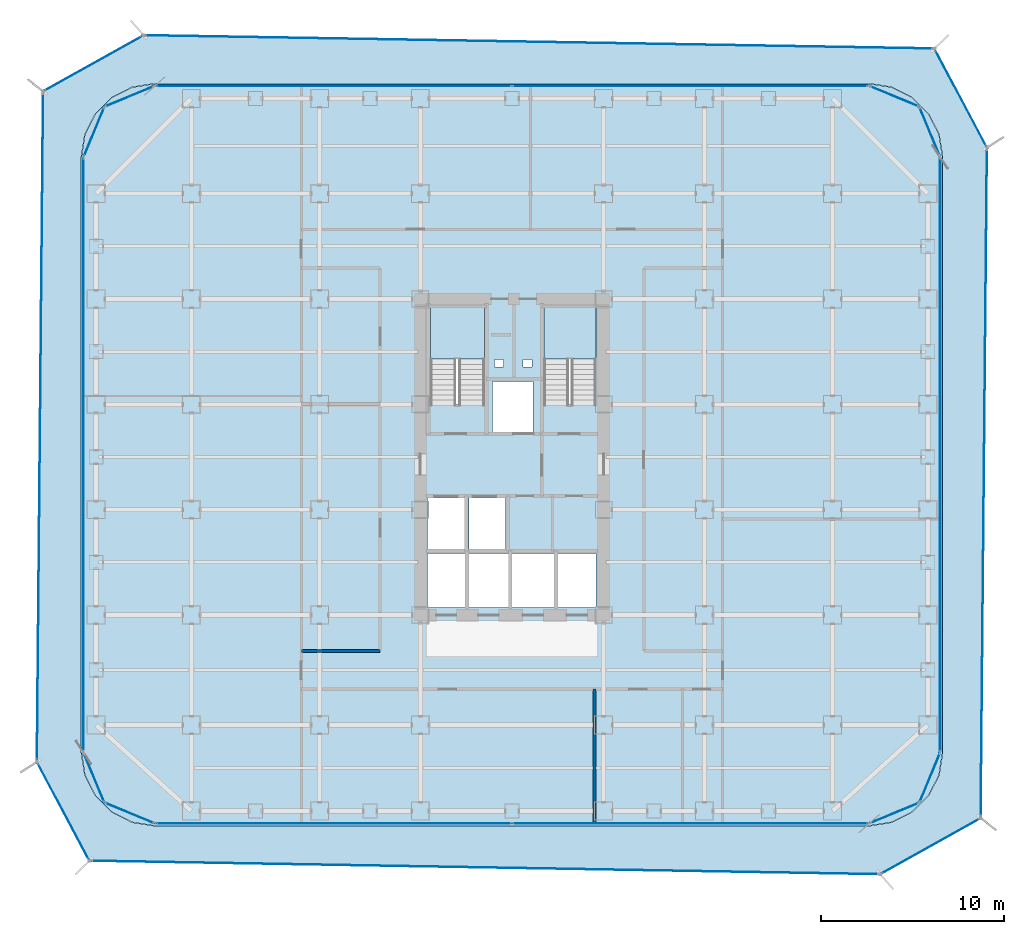
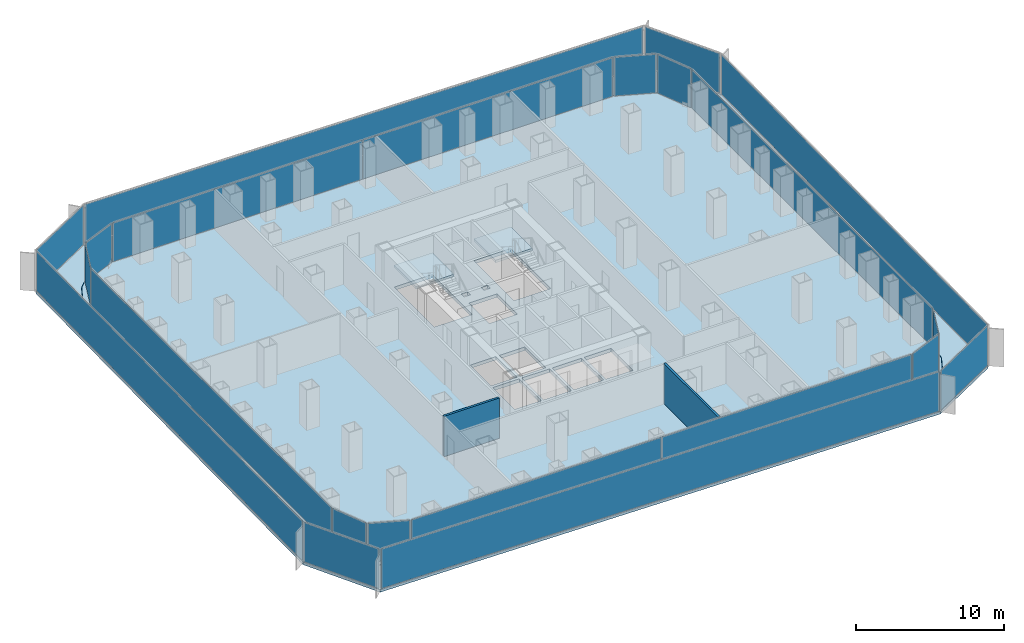
# One storey, part 16 of 21: 22 plates, 4 slabs, 2 walls, 22 elements without a shape of their own.
"""IFC4 building model written with IfcOpenShell, lengths in metres."""

from ifc_helpers import new_model, si_unit, direction, frame, frame_2d, origin, origin_2d, place, context, subcontext, project, spatial, polyline, rectangle, outline, extrude, source, transform, mapped, material, layer, layer_set, type_object, element, aggregate, save


model = new_model("IFC4")

# Units and contexts
model_context = context("Model", 3, precision=1e-05, world=origin(), true_north=direction((0.0, 1.0)))
body_context = subcontext(model_context, "Body", "Model", "MODEL_VIEW")
ifc_project = project(units=[si_unit("LENGTHUNIT", "METRE"), si_unit("AREAUNIT", "SQUARE_METRE"), si_unit("VOLUMEUNIT", "CUBIC_METRE"), si_unit("PLANEANGLEUNIT", "RADIAN"), si_unit("MASSUNIT", "GRAM", prefix="KILO")], contexts=[model_context])

# Site, building, storey
site_placement = place(None, origin())
site = spatial("IfcSite", under=ifc_project, at=site_placement, CompositionType="ELEMENT")
building_placement = place(site_placement, origin())
building = spatial("IfcBuilding", under=site, at=building_placement, Name="Kolveth Station Tower", CompositionType="ELEMENT")
storey_placement = place(building_placement, frame((0.0, 0.0, 58.5)))
storey = spatial("IfcBuildingStorey", under=building, at=storey_placement, Name="L15", CompositionType="ELEMENT", Elevation=58.5)

# Slab
ifc_material_1 = material(Name="Concrete C45/55", Category="concrete")
ifc_layer_1 = layer(ifc_material_1, 0.280029296875)
ifc_layer_set_1 = layer_set([ifc_layer_1], Name="Concrete C45/55")
slab_type_1 = type_object("IfcSlabType", Name="Slab_SF-280", PredefinedType="FLOOR", material=ifc_layer_set_1)
slab_1_placement = place(storey_placement, frame((0.0, 0.0, -0.280029296875)))
element("IfcSlab", 1, at=slab_1_placement, inside=storey, type_object=slab_type_1, Name="L15 Tower Structural Floor Slab", PredefinedType="FLOOR", context=body_context, shape_type="SweptSolid", body=[
    extrude(outline(polyline([(43.0, 0.0), (44.236083984375, 0.19580078125), (45.35107421875, 0.763916015625), (46.236083984375, 1.64892578125), (46.80419921875, 2.763916015625), (47.0, 4.0), (47.0, 36.5), (46.80419921875, 37.736083984375), (46.236083984375, 38.85107421875), (45.35107421875, 39.736083984375), (44.236083984375, 40.30419921875), (43.0, 40.5), (4.0, 40.5), (2.763916015625, 40.30419921875), (1.64892578125, 39.736083984375), (0.763916015625, 38.85107421875), (0.19580078125, 37.736083984375), (0.0, 36.5), (0.0, 4.0), (0.19580078125, 2.763916015625), (0.763916015625, 1.64892578125), (1.64892578125, 0.763916015625), (2.763916015625, 0.19580078125), (4.0, 0.0), (43.0, 0.0)]), holes=[polyline([(19.0400390625, 22.985107421875), (22.0, 22.985107421875), (22.0, 28.39990234375), (19.0400390625, 28.39990234375), (19.0400390625, 22.985107421875)]), polyline([(25.239990234375, 22.985107421875), (28.10009765625, 22.985107421875), (28.10009765625, 28.39990234375), (25.239990234375, 28.39990234375), (25.239990234375, 22.985107421875)]), polyline([(18.89990234375, 15.10009765625), (20.89990234375, 15.10009765625), (20.89990234375, 17.89990234375), (18.89990234375, 17.89990234375), (18.89990234375, 15.10009765625)]), polyline([(21.14990234375, 15.10009765625), (23.14990234375, 15.10009765625), (23.14990234375, 17.89990234375), (21.14990234375, 17.89990234375), (21.14990234375, 15.10009765625)]), polyline([(22.449951171875, 21.5), (24.64990234375, 21.5), (24.64990234375, 24.25), (22.449951171875, 24.25), (22.449951171875, 21.5)]), polyline([(18.89990234375, 11.89990234375), (20.949951171875, 11.89990234375), (20.949951171875, 14.85009765625), (18.89990234375, 14.85009765625), (18.89990234375, 11.89990234375)]), polyline([(21.14990234375, 11.89990234375), (23.300048828125, 11.89990234375), (23.300048828125, 14.85009765625), (21.14990234375, 14.85009765625), (21.14990234375, 11.89990234375)]), polyline([(23.5, 11.89990234375), (25.800048828125, 11.89990234375), (25.800048828125, 14.85009765625), (23.5, 14.85009765625), (23.5, 11.89990234375)]), polyline([(26.0, 11.89990234375), (28.10009765625, 11.89990234375), (28.10009765625, 14.85009765625), (26.0, 14.85009765625), (26.0, 11.89990234375)]), polyline([(22.550048828125, 25.050048828125), (23.050048828125, 25.050048828125), (23.050048828125, 25.449951171875), (22.550048828125, 25.449951171875), (22.550048828125, 25.050048828125)]), polyline([(24.10009765625, 25.050048828125), (24.60009765625, 25.050048828125), (24.60009765625, 25.449951171875), (24.10009765625, 25.449951171875), (24.10009765625, 25.050048828125)])]), origin(), (0.0, 0.0, 1.0), 0.280029296875),
])

# Stair, slab
ifc_material_2 = material(Name="Concrete C40/50", Category="concrete")
stair_type_1 = type_object("IfcStairType", Name="Stair_ST2", PredefinedType="HALF_TURN_STAIR", material=ifc_material_2)
stair_1_placement = place(storey_placement, origin())
stair_1 = element("IfcStair", 2, at=stair_1_placement, inside=storey, type_object=stair_type_1, Name="L15 Tower Exit Stair ST2", PredefinedType="HALF_TURN_STAIR")
ifc_layer_2 = layer(ifc_material_2, 0.18994140625)
ifc_layer_set_2 = layer_set([ifc_layer_2], Name="Concrete C40/50")
slab_type_2 = type_object("IfcSlabType", Name="Slab_SL-190", PredefinedType="LANDING", material=ifc_layer_set_2)
slab_2_placement = place(storey_placement, frame((0.0, 0.0, 1.60009765625)))
slab_2 = element("IfcSlab", 3, at=slab_2_placement, type_object=slab_type_2, Name="ST2 landing 1", PredefinedType="LANDING", context=body_context, shape_type="SweptSolid", body=[
    extrude(outline(polyline([(28.10009765625, 25.469970703125), (28.10009765625, 28.39990234375), (25.239990234375, 28.39990234375), (25.239990234375, 25.469970703125), (28.10009765625, 25.469970703125)])), origin(), (0.0, 0.0, 1.0), 0.199951171875),
])
aggregate(stair_1, [slab_2])

stair_type_2 = type_object("IfcStairType", Name="Stair_ST1", PredefinedType="HALF_TURN_STAIR", material=ifc_material_2)
stair_2_placement = place(storey_placement, origin())
stair_2 = element("IfcStair", 4, at=stair_2_placement, inside=storey, type_object=stair_type_2, Name="L15 Tower Exit Stair ST1", PredefinedType="HALF_TURN_STAIR")
ifc_layer_3 = layer(ifc_material_2, 0.205078125)
ifc_layer_set_3 = layer_set([ifc_layer_3], Name="Concrete C40/50")
slab_type_3 = type_object("IfcSlabType", Name="Slab_SL-205", PredefinedType="LANDING", material=ifc_layer_set_3)
slab_3_placement = place(storey_placement, frame((0.0, 0.0, 1.60009765625)))
slab_3 = element("IfcSlab", 5, at=slab_3_placement, type_object=slab_type_3, Name="ST1 landing 1", PredefinedType="LANDING", context=body_context, shape_type="SweptSolid", body=[
    extrude(outline(polyline([(22.0, 25.469970703125), (22.0, 28.39990234375), (19.0400390625, 28.39990234375), (19.0400390625, 25.469970703125), (22.0, 25.469970703125)])), origin(), (0.0, 0.0, 1.0), 0.199951171875),
])
aggregate(stair_2, [slab_3])

# Slab
ifc_layer_4 = layer(ifc_material_2, 0.2099609375)
ifc_layer_set_4 = layer_set([ifc_layer_4], Name="Concrete C40/50")
slab_type_4 = type_object("IfcSlabType", Name="Slab_ST-210", PredefinedType="FLOOR", material=ifc_layer_set_4)
slab_4_placement = place(storey_placement, frame((0.0, 0.0, -0.2099609375)))
element("IfcSlab", 6, at=slab_4_placement, inside=storey, type_object=slab_type_4, Name="L15 Double-Skin Cavity Structural Ledger Ring", PredefinedType="FLOOR", context=body_context, shape_type="SweptSolid", body=[
    extrude(outline(polyline([(0.441162109375, -1.9140625), (-2.42724609375, 3.48583984375), (-2.0888671875, 40.085693359375), (3.3994140625, 43.144287109375), (46.5625, 42.42041015625), (49.43115234375, 37.0146484375), (49.0888671875, 0.414306640625), (43.601318359375, -2.6513671875), (0.441162109375, -1.9140625)]), holes=[polyline([(43.002197265625, -0.014892578125), (44.23828125, 0.180908203125), (44.242919921875, 0.182373046875), (45.35791015625, 0.75048828125), (45.36181640625, 0.75341796875), (46.24658203125, 1.63818359375), (46.24951171875, 1.64208984375), (46.817626953125, 2.757080078125), (46.819091796875, 2.76171875), (47.014892578125, 3.997802734375), (47.014892578125, 4.0), (47.014892578125, 36.5), (47.014892578125, 36.502197265625), (46.819091796875, 37.73828125), (46.817626953125, 37.742919921875), (46.24951171875, 38.85791015625), (46.24658203125, 38.86181640625), (45.36181640625, 39.74658203125), (45.35791015625, 39.74951171875), (44.242919921875, 40.317626953125), (44.23828125, 40.319091796875), (43.002197265625, 40.514892578125), (43.0, 40.514892578125), (4.0, 40.514892578125), (3.997802734375, 40.514892578125), (2.76171875, 40.319091796875), (2.757080078125, 40.317626953125), (1.64208984375, 39.74951171875), (1.63818359375, 39.74658203125), (0.75341796875, 38.86181640625), (0.75048828125, 38.85791015625), (0.182373046875, 37.742919921875), (0.180908203125, 37.73828125), (-0.014892578125, 36.502197265625), (-0.014892578125, 36.5), (-0.014892578125, 4.0), (-0.014892578125, 3.997802734375), (0.180908203125, 2.76171875), (0.182373046875, 2.757080078125), (0.75048828125, 1.64208984375), (0.75341796875, 1.63818359375), (1.63818359375, 0.75341796875), (1.64208984375, 0.75048828125), (2.757080078125, 0.182373046875), (2.76171875, 0.180908203125), (3.997802734375, -0.014892578125), (4.0, -0.014892578125), (43.0, -0.014892578125), (43.002197265625, -0.014892578125)])]), origin(), (0.0, 0.0, 1.0), 0.2099609375),
])

# Curtain wall, plate
ifc_material_3 = material(Name="Aluminium 6063-T6 and low-E dark glass", Category="aluminium")
ifc_layer_5 = layer(ifc_material_3, 0.179931640625)
ifc_layer_set_5 = layer_set([ifc_layer_5], Name="Aluminium 6063-T6 and low-E dark glass")
curtain_wall_type_1 = type_object("IfcCurtainWallType", Name="CurtainWall_CW-Z1", PredefinedType="NOTDEFINED", material=ifc_layer_set_5)
curtain_wall_1_placement = place(storey_placement, origin())
curtain_wall_1 = element("IfcCurtainWall", 7, at=curtain_wall_1_placement, inside=storey, type_object=curtain_wall_type_1, Name="L15 Inner Thermal Curtain Wall 1", PredefinedType="NOTDEFINED")
ifc_material_4 = material(Name="Architectural low-E dark glass", Category="glass")
ifc_layer_6 = layer(ifc_material_4, 0.035888671875)
ifc_layer_set_6 = layer_set([ifc_layer_6], Name="Architectural low-E dark glass")
plate_type_1 = type_object("IfcPlateType", Name="Panel_GL1", PredefinedType="CURTAIN_PANEL", material=ifc_layer_set_6)
shared_shape_1 = source(origin(), body_context, "Body", "SweptSolid", [
    extrude(rectangle(XDim=2.83349609375, YDim=0.035888671875, at=origin_2d()), origin(), (0.0, 0.0, 1.0), 3.18408203125),
])
plate_1_placement = place(storey_placement, frame((44.371826171875, 0.688232421875, 0.06787109375), z_axis=(0.0, 0.0, 1.0), x_axis=(0.923883857728, 0.382672990201, 0.0)))
plate_1 = element("IfcPlate", 8, at=plate_1_placement, type_object=plate_type_1, Name="CW-Z1 panel 1.1", PredefinedType="CURTAIN_PANEL", context=body_context, shape_type="MappedRepresentation", body=[
    mapped(shared_shape_1, transform((0.0, 0.0, 0.0), x_axis=(1.0, 0.0, 0.0), y_axis=(0.0, 1.0, 0.0), z_axis=(0.0, 0.0, 1.0), scale=1.0)),
])
aggregate(curtain_wall_1, [plate_1])

curtain_wall_2_placement = place(storey_placement, origin())
curtain_wall_2 = element("IfcCurtainWall", 9, at=curtain_wall_2_placement, inside=storey, type_object=curtain_wall_type_1, Name="L15 Inner Thermal Curtain Wall 2", PredefinedType="NOTDEFINED")
plate_2_placement = place(storey_placement, frame((46.311767578125, 2.628173828125, 0.06787109375), z_axis=(0.0, 0.0, 1.0), x_axis=(0.382672990201, 0.923883857728, 0.0)))
plate_2 = element("IfcPlate", 10, at=plate_2_placement, type_object=plate_type_1, Name="CW-Z1 panel 1.1", PredefinedType="CURTAIN_PANEL", context=body_context, shape_type="MappedRepresentation", body=[
    mapped(shared_shape_1, transform((0.0, 0.0, 0.0), x_axis=(1.0, 0.0, 0.0), y_axis=(0.0, 1.0, 0.0), z_axis=(0.0, 0.0, 1.0), scale=1.0)),
])
aggregate(curtain_wall_2, [plate_2])

curtain_wall_3_placement = place(storey_placement, origin())
curtain_wall_3 = element("IfcCurtainWall", 11, at=curtain_wall_3_placement, inside=storey, type_object=curtain_wall_type_1, Name="L15 Inner Thermal Curtain Wall 4", PredefinedType="NOTDEFINED")
plate_3_placement = place(storey_placement, frame((46.311767578125, 37.871826171875, 0.06787109375), z_axis=(0.0, 0.0, 1.0), x_axis=(-0.382672990201, 0.923883857728, 0.0)))
plate_3 = element("IfcPlate", 12, at=plate_3_placement, type_object=plate_type_1, Name="CW-Z1 panel 1.1", PredefinedType="CURTAIN_PANEL", context=body_context, shape_type="MappedRepresentation", body=[
    mapped(shared_shape_1, transform((0.0, 0.0, 0.0), x_axis=(1.0, 0.0, 0.0), y_axis=(0.0, 1.0, 0.0), z_axis=(0.0, 0.0, 1.0), scale=1.0)),
])
aggregate(curtain_wall_3, [plate_3])

curtain_wall_4_placement = place(storey_placement, origin())
curtain_wall_4 = element("IfcCurtainWall", 13, at=curtain_wall_4_placement, inside=storey, type_object=curtain_wall_type_1, Name="L15 Inner Thermal Curtain Wall 5", PredefinedType="NOTDEFINED")
plate_4_placement = place(storey_placement, frame((44.371826171875, 39.811767578125, 0.06787109375), z_axis=(0.0, 0.0, 1.0), x_axis=(-0.923883857728, 0.382672990201, 0.0)))
plate_4 = element("IfcPlate", 14, at=plate_4_placement, type_object=plate_type_1, Name="CW-Z1 panel 1.1", PredefinedType="CURTAIN_PANEL", context=body_context, shape_type="MappedRepresentation", body=[
    mapped(shared_shape_1, transform((0.0, 0.0, 0.0), x_axis=(1.0, 0.0, 0.0), y_axis=(0.0, 1.0, 0.0), z_axis=(0.0, 0.0, 1.0), scale=1.0)),
])
aggregate(curtain_wall_4, [plate_4])

curtain_wall_5_placement = place(storey_placement, origin())
curtain_wall_5 = element("IfcCurtainWall", 15, at=curtain_wall_5_placement, inside=storey, type_object=curtain_wall_type_1, Name="L15 Inner Thermal Curtain Wall 7", PredefinedType="NOTDEFINED")
plate_5_placement = place(storey_placement, frame((2.628173828125, 39.811767578125, 0.06787109375), z_axis=(0.0, 0.0, 1.0), x_axis=(-0.923883857728, -0.382672990201, 0.0)))
plate_5 = element("IfcPlate", 16, at=plate_5_placement, type_object=plate_type_1, Name="CW-Z1 panel 1.1", PredefinedType="CURTAIN_PANEL", context=body_context, shape_type="MappedRepresentation", body=[
    mapped(shared_shape_1, transform((0.0, 0.0, 0.0), x_axis=(1.0, 0.0, 0.0), y_axis=(0.0, 1.0, 0.0), z_axis=(0.0, 0.0, 1.0), scale=1.0)),
])
aggregate(curtain_wall_5, [plate_5])

curtain_wall_6_placement = place(storey_placement, origin())
curtain_wall_6 = element("IfcCurtainWall", 17, at=curtain_wall_6_placement, inside=storey, type_object=curtain_wall_type_1, Name="L15 Inner Thermal Curtain Wall 8", PredefinedType="NOTDEFINED")
plate_6_placement = place(storey_placement, frame((0.688232421875, 37.871826171875, 0.06787109375), z_axis=(0.0, 0.0, 1.0), x_axis=(-0.382672990201, -0.923883857728, 0.0)))
plate_6 = element("IfcPlate", 18, at=plate_6_placement, type_object=plate_type_1, Name="CW-Z1 panel 1.1", PredefinedType="CURTAIN_PANEL", context=body_context, shape_type="MappedRepresentation", body=[
    mapped(shared_shape_1, transform((0.0, 0.0, 0.0), x_axis=(1.0, 0.0, 0.0), y_axis=(0.0, 1.0, 0.0), z_axis=(0.0, 0.0, 1.0), scale=1.0)),
])
aggregate(curtain_wall_6, [plate_6])

curtain_wall_7_placement = place(storey_placement, origin())
curtain_wall_7 = element("IfcCurtainWall", 19, at=curtain_wall_7_placement, inside=storey, type_object=curtain_wall_type_1, Name="L15 Inner Thermal Curtain Wall 10", PredefinedType="NOTDEFINED")
plate_7_placement = place(storey_placement, frame((0.688232421875, 2.628173828125, 0.06787109375), z_axis=(0.0, 0.0, 1.0), x_axis=(0.382672990201, -0.923883857728, 0.0)))
plate_7 = element("IfcPlate", 20, at=plate_7_placement, type_object=plate_type_1, Name="CW-Z1 panel 1.1", PredefinedType="CURTAIN_PANEL", context=body_context, shape_type="MappedRepresentation", body=[
    mapped(shared_shape_1, transform((0.0, 0.0, 0.0), x_axis=(1.0, 0.0, 0.0), y_axis=(0.0, 1.0, 0.0), z_axis=(0.0, 0.0, 1.0), scale=1.0)),
])
aggregate(curtain_wall_7, [plate_7])

curtain_wall_8_placement = place(storey_placement, origin())
curtain_wall_8 = element("IfcCurtainWall", 21, at=curtain_wall_8_placement, inside=storey, type_object=curtain_wall_type_1, Name="L15 Inner Thermal Curtain Wall 11", PredefinedType="NOTDEFINED")
plate_8_placement = place(storey_placement, frame((2.628173828125, 0.688232421875, 0.06787109375), z_axis=(0.0, 0.0, 1.0), x_axis=(0.923883857728, -0.382672990201, 0.0)))
plate_8 = element("IfcPlate", 22, at=plate_8_placement, type_object=plate_type_1, Name="CW-Z1 panel 1.1", PredefinedType="CURTAIN_PANEL", context=body_context, shape_type="MappedRepresentation", body=[
    mapped(shared_shape_1, transform((0.0, 0.0, 0.0), x_axis=(1.0, 0.0, 0.0), y_axis=(0.0, 1.0, 0.0), z_axis=(0.0, 0.0, 1.0), scale=1.0)),
])
aggregate(curtain_wall_8, [plate_8])

curtain_wall_9_placement = place(storey_placement, origin())
curtain_wall_9 = element("IfcCurtainWall", 23, at=curtain_wall_9_placement, inside=storey, type_object=curtain_wall_type_1, Name="L15 Inner Thermal Curtain Wall 3", PredefinedType="NOTDEFINED")
shared_shape_2 = source(origin(), body_context, "Body", "SweptSolid", [
    extrude(rectangle(XDim=32.364013671875, YDim=0.035888671875, at=origin_2d()), origin(), (0.0, 0.0, 1.0), 3.18408203125),
])
plate_9_placement = place(storey_placement, frame((46.8798828125, 20.25, 0.06787109375), z_axis=(0.0, 0.0, 1.0), x_axis=(0.0, 1.0, 0.0)))
plate_9 = element("IfcPlate", 24, at=plate_9_placement, type_object=plate_type_1, Name="CW-Z1 panel 1.1", PredefinedType="CURTAIN_PANEL", context=body_context, shape_type="MappedRepresentation", body=[
    mapped(shared_shape_2, transform((0.0, 0.0, 0.0), x_axis=(1.0, 0.0, 0.0), y_axis=(0.0, 1.0, 0.0), z_axis=(0.0, 0.0, 1.0), scale=1.0)),
])
aggregate(curtain_wall_9, [plate_9])

curtain_wall_10_placement = place(storey_placement, origin())
curtain_wall_10 = element("IfcCurtainWall", 25, at=curtain_wall_10_placement, inside=storey, type_object=curtain_wall_type_1, Name="L15 Inner Thermal Curtain Wall 9", PredefinedType="NOTDEFINED")
plate_10_placement = place(storey_placement, frame((0.1201171875, 20.25, 0.06787109375), z_axis=(0.0, 0.0, 1.0), x_axis=(0.0, -1.0, 0.0)))
plate_10 = element("IfcPlate", 26, at=plate_10_placement, type_object=plate_type_1, Name="CW-Z1 panel 1.1", PredefinedType="CURTAIN_PANEL", context=body_context, shape_type="MappedRepresentation", body=[
    mapped(shared_shape_2, transform((0.0, 0.0, 0.0), x_axis=(1.0, 0.0, 0.0), y_axis=(0.0, 1.0, 0.0), z_axis=(0.0, 0.0, 1.0), scale=1.0)),
])
aggregate(curtain_wall_10, [plate_10])

# Curtain wall, plates
curtain_wall_11_placement = place(storey_placement, origin())
curtain_wall_11 = element("IfcCurtainWall", 27, at=curtain_wall_11_placement, inside=storey, type_object=curtain_wall_type_1, Name="L15 Inner Thermal Curtain Wall 6", PredefinedType="NOTDEFINED")
shared_shape_3 = source(origin(), body_context, "Body", "SweptSolid", [
    extrude(rectangle(XDim=19.401611328125, YDim=0.035888671875, at=origin_2d()), origin(), (0.0, 0.0, 1.0), 3.18408203125),
])
plate_11_placement = place(storey_placement, frame((33.231201171875, 40.3798828125, 0.06787109375), z_axis=(0.0, 0.0, 1.0), x_axis=(-1.0, 0.0, 0.0)))
plate_11 = element("IfcPlate", 28, at=plate_11_placement, type_object=plate_type_1, Name="CW-Z1 panel 1.1", PredefinedType="CURTAIN_PANEL", context=body_context, shape_type="MappedRepresentation", body=[
    mapped(shared_shape_3, transform((0.0, 0.0, 0.0), x_axis=(1.0, 0.0, 0.0), y_axis=(0.0, 1.0, 0.0), z_axis=(0.0, 0.0, 1.0), scale=1.0)),
])
plate_12_placement = place(storey_placement, frame((13.768798828125, 40.3798828125, 0.06787109375), z_axis=(0.0, 0.0, 1.0), x_axis=(-1.0, 0.0, 0.0)))
plate_12 = element("IfcPlate", 29, at=plate_12_placement, type_object=plate_type_1, Name="CW-Z1 panel 2.1", PredefinedType="CURTAIN_PANEL", context=body_context, shape_type="MappedRepresentation", body=[
    mapped(shared_shape_3, transform((0.0, 0.0, 0.0), x_axis=(1.0, 0.0, 0.0), y_axis=(0.0, 1.0, 0.0), z_axis=(0.0, 0.0, 1.0), scale=1.0)),
])
aggregate(curtain_wall_11, [plate_11, plate_12])

curtain_wall_12_placement = place(storey_placement, origin())
curtain_wall_12 = element("IfcCurtainWall", 30, at=curtain_wall_12_placement, inside=storey, type_object=curtain_wall_type_1, Name="L15 Inner Thermal Curtain Wall 12", PredefinedType="NOTDEFINED")
plate_13_placement = place(storey_placement, frame((13.768798828125, 0.1201171875, 0.06787109375), z_axis=(0.0, 0.0, 1.0), x_axis=(1.0, 0.0, 0.0)))
plate_13 = element("IfcPlate", 31, at=plate_13_placement, type_object=plate_type_1, Name="CW-Z1 panel 1.1", PredefinedType="CURTAIN_PANEL", context=body_context, shape_type="MappedRepresentation", body=[
    mapped(shared_shape_3, transform((0.0, 0.0, 0.0), x_axis=(1.0, 0.0, 0.0), y_axis=(0.0, 1.0, 0.0), z_axis=(0.0, 0.0, 1.0), scale=1.0)),
])
plate_14_placement = place(storey_placement, frame((33.231201171875, 0.1201171875, 0.06787109375), z_axis=(0.0, 0.0, 1.0), x_axis=(1.0, 0.0, 0.0)))
plate_14 = element("IfcPlate", 32, at=plate_14_placement, type_object=plate_type_1, Name="CW-Z1 panel 2.1", PredefinedType="CURTAIN_PANEL", context=body_context, shape_type="MappedRepresentation", body=[
    mapped(shared_shape_3, transform((0.0, 0.0, 0.0), x_axis=(1.0, 0.0, 0.0), y_axis=(0.0, 1.0, 0.0), z_axis=(0.0, 0.0, 1.0), scale=1.0)),
])
aggregate(curtain_wall_12, [plate_13, plate_14])

# Curtain wall, plate
ifc_material_5 = material(Name="Black anodized aluminium 6063-T6 and dark solar glass", Category="aluminium")
ifc_layer_7 = layer(ifc_material_5, 0.159912109375)
ifc_layer_set_7 = layer_set([ifc_layer_7], Name="Black anodized aluminium 6063-T6 and dark solar glass")
curtain_wall_type_2 = type_object("IfcCurtainWallType", Name="OUTER SKIN CW-OS", PredefinedType="NOTDEFINED", material=ifc_layer_set_7)
curtain_wall_13_placement = place(storey_placement, origin())
curtain_wall_13 = element("IfcCurtainWall", 33, at=curtain_wall_13_placement, inside=storey, type_object=curtain_wall_type_2, Name="L15 Outer Ventilated Skin Curtain Wall 1", PredefinedType="NOTDEFINED")
ifc_layer_8 = layer(ifc_material_4, 0.028076171875)
ifc_layer_set_8 = layer_set([ifc_layer_8], Name="Architectural low-E dark glass")
plate_type_2 = type_object("IfcPlateType", Name="Panel_GL-OS", PredefinedType="CURTAIN_PANEL", material=ifc_layer_set_8)
shared_shape_4 = source(origin(), body_context, "Body", "SweptSolid", [
    extrude(rectangle(XDim=6.11962890625, YDim=0.028076171875, at=origin_2d()), origin(), (0.0, 0.0, 1.0), 3.243896484375),
])
plate_15_placement = place(storey_placement, frame((46.34521484375, -1.118408203125, 0.0732421875), z_axis=(0.0, 0.0, 1.0), x_axis=(0.873003651646, 0.487713670316, 0.0)))
plate_15 = element("IfcPlate", 34, at=plate_15_placement, type_object=plate_type_2, Name="CW-OS panel 1.1", PredefinedType="CURTAIN_PANEL", context=body_context, shape_type="MappedRepresentation", body=[
    mapped(shared_shape_4, transform((0.0, 0.0, 0.0), x_axis=(1.0, 0.0, 0.0), y_axis=(0.0, 1.0, 0.0), z_axis=(0.0, 0.0, 1.0), scale=1.0)),
])
aggregate(curtain_wall_13, [plate_15])

curtain_wall_14_placement = place(storey_placement, origin())
curtain_wall_14 = element("IfcCurtainWall", 35, at=curtain_wall_14_placement, inside=storey, type_object=curtain_wall_type_2, Name="L15 Outer Ventilated Skin Curtain Wall 2", PredefinedType="NOTDEFINED")
shared_shape_5 = source(origin(), body_context, "Body", "SweptSolid", [
    extrude(rectangle(XDim=36.435791015625, YDim=0.028076171875, at=origin_2d()), origin(), (0.0, 0.0, 1.0), 3.243896484375),
])
plate_16_placement = place(storey_placement, frame((49.260009765625, 18.71435546875, 0.0732421875), z_axis=(0.0, 0.0, 1.0), x_axis=(0.009354705231, 0.999956243788, 0.0)))
plate_16 = element("IfcPlate", 36, at=plate_16_placement, type_object=plate_type_2, Name="CW-OS panel 1.1", PredefinedType="CURTAIN_PANEL", context=body_context, shape_type="MappedRepresentation", body=[
    mapped(shared_shape_5, transform((0.0, 0.0, 0.0), x_axis=(1.0, 0.0, 0.0), y_axis=(0.0, 1.0, 0.0), z_axis=(0.0, 0.0, 1.0), scale=1.0)),
])
aggregate(curtain_wall_14, [plate_16])

curtain_wall_15_placement = place(storey_placement, origin())
curtain_wall_15 = element("IfcCurtainWall", 37, at=curtain_wall_15_placement, inside=storey, type_object=curtain_wall_type_2, Name="L15 Outer Ventilated Skin Curtain Wall 3", PredefinedType="NOTDEFINED")
shared_shape_6 = source(origin(), body_context, "Body", "SweptSolid", [
    extrude(rectangle(XDim=5.953857421875, YDim=0.028076171875, at=origin_2d()), origin(), (0.0, 0.0, 1.0), 3.243896484375),
])
plate_17_placement = place(storey_placement, frame((47.996826171875, 39.717529296875, 0.0732421875), z_axis=(0.0, 0.0, 1.0), x_axis=(-0.468749373662, 0.883331208942, 0.0)))
plate_17 = element("IfcPlate", 38, at=plate_17_placement, type_object=plate_type_2, Name="CW-OS panel 1.1", PredefinedType="CURTAIN_PANEL", context=body_context, shape_type="MappedRepresentation", body=[
    mapped(shared_shape_6, transform((0.0, 0.0, 0.0), x_axis=(1.0, 0.0, 0.0), y_axis=(0.0, 1.0, 0.0), z_axis=(0.0, 0.0, 1.0), scale=1.0)),
])
aggregate(curtain_wall_15, [plate_17])

curtain_wall_16_placement = place(storey_placement, origin())
curtain_wall_16 = element("IfcCurtainWall", 39, at=curtain_wall_16_placement, inside=storey, type_object=curtain_wall_type_2, Name="L15 Outer Ventilated Skin Curtain Wall 4", PredefinedType="NOTDEFINED")
shared_shape_7 = source(origin(), body_context, "Body", "SweptSolid", [
    extrude(rectangle(XDim=43.003173828125, YDim=0.028076171875, at=origin_2d()), origin(), (0.0, 0.0, 1.0), 3.243896484375),
])
plate_18_placement = place(storey_placement, frame((24.98095703125, 42.782470703125, 0.0732421875), z_axis=(0.0, 0.0, 1.0), x_axis=(-0.999859468931, 0.016764318927, 0.0)))
plate_18 = element("IfcPlate", 40, at=plate_18_placement, type_object=plate_type_2, Name="CW-OS panel 1.1", PredefinedType="CURTAIN_PANEL", context=body_context, shape_type="MappedRepresentation", body=[
    mapped(shared_shape_7, transform((0.0, 0.0, 0.0), x_axis=(1.0, 0.0, 0.0), y_axis=(0.0, 1.0, 0.0), z_axis=(0.0, 0.0, 1.0), scale=1.0)),
])
aggregate(curtain_wall_16, [plate_18])

curtain_wall_17_placement = place(storey_placement, origin())
curtain_wall_17 = element("IfcCurtainWall", 41, at=curtain_wall_17_placement, inside=storey, type_object=curtain_wall_type_2, Name="L15 Outer Ventilated Skin Curtain Wall 5", PredefinedType="NOTDEFINED")
shared_shape_8 = source(origin(), body_context, "Body", "SweptSolid", [
    extrude(rectangle(XDim=6.116943359375, YDim=0.028076171875, at=origin_2d()), origin(), (0.0, 0.0, 1.0), 3.243896484375),
])
plate_19_placement = place(storey_placement, frame((0.6552734375, 41.614990234375, 0.0732421875), z_axis=(0.0, 0.0, 1.0), x_axis=(-0.873518379532, -0.48679116736, 0.0)))
plate_19 = element("IfcPlate", 42, at=plate_19_placement, type_object=plate_type_2, Name="CW-OS panel 1.1", PredefinedType="CURTAIN_PANEL", context=body_context, shape_type="MappedRepresentation", body=[
    mapped(shared_shape_8, transform((0.0, 0.0, 0.0), x_axis=(1.0, 0.0, 0.0), y_axis=(0.0, 1.0, 0.0), z_axis=(0.0, 0.0, 1.0), scale=1.0)),
])
aggregate(curtain_wall_17, [plate_19])

curtain_wall_18_placement = place(storey_placement, origin())
curtain_wall_18 = element("IfcCurtainWall", 43, at=curtain_wall_18_placement, inside=storey, type_object=curtain_wall_type_2, Name="L15 Outer Ventilated Skin Curtain Wall 6", PredefinedType="NOTDEFINED")
shared_shape_9 = source(origin(), body_context, "Body", "SweptSolid", [
    extrude(rectangle(XDim=36.435302734375, YDim=0.028076171875, at=origin_2d()), origin(), (0.0, 0.0, 1.0), 3.243896484375),
])
plate_20_placement = place(storey_placement, frame((-2.258056640625, 21.785888671875, 0.0732421875), z_axis=(0.0, 0.0, 1.0), x_axis=(-0.009248288889, -0.999957233662, 0.0)))
plate_20 = element("IfcPlate", 44, at=plate_20_placement, type_object=plate_type_2, Name="CW-OS panel 1.1", PredefinedType="CURTAIN_PANEL", context=body_context, shape_type="MappedRepresentation", body=[
    mapped(shared_shape_9, transform((0.0, 0.0, 0.0), x_axis=(1.0, 0.0, 0.0), y_axis=(0.0, 1.0, 0.0), z_axis=(0.0, 0.0, 1.0), scale=1.0)),
])
aggregate(curtain_wall_18, [plate_20])

curtain_wall_19_placement = place(storey_placement, origin())
curtain_wall_19 = element("IfcCurtainWall", 45, at=curtain_wall_19_placement, inside=storey, type_object=curtain_wall_type_2, Name="L15 Outer Ventilated Skin Curtain Wall 7", PredefinedType="NOTDEFINED")
shared_shape_10 = source(origin(), body_context, "Body", "SweptSolid", [
    extrude(rectangle(XDim=5.948486328125, YDim=0.028076171875, at=origin_2d()), origin(), (0.0, 0.0, 1.0), 3.243896484375),
])
plate_21_placement = place(storey_placement, frame((-0.9931640625, 0.785888671875, 0.0732421875), z_axis=(0.0, 0.0, 1.0), x_axis=(0.469110583865, -0.883139434124, 0.0)))
plate_21 = element("IfcPlate", 46, at=plate_21_placement, type_object=plate_type_2, Name="CW-OS panel 1.1", PredefinedType="CURTAIN_PANEL", context=body_context, shape_type="MappedRepresentation", body=[
    mapped(shared_shape_10, transform((0.0, 0.0, 0.0), x_axis=(1.0, 0.0, 0.0), y_axis=(0.0, 1.0, 0.0), z_axis=(0.0, 0.0, 1.0), scale=1.0)),
])
aggregate(curtain_wall_19, [plate_21])

curtain_wall_20_placement = place(storey_placement, origin())
curtain_wall_20 = element("IfcCurtainWall", 47, at=curtain_wall_20_placement, inside=storey, type_object=curtain_wall_type_2, Name="L15 Outer Ventilated Skin Curtain Wall 8", PredefinedType="NOTDEFINED")
shared_shape_11 = source(origin(), body_context, "Body", "SweptSolid", [
    extrude(rectangle(XDim=43.00048828125, YDim=0.028076171875, at=origin_2d()), origin(), (0.0, 0.0, 1.0), 3.243896484375),
])
plate_22_placement = place(storey_placement, frame((22.021240234375, -2.28271484375, 0.0732421875), z_axis=(0.0, 0.0, 1.0), x_axis=(0.999854159974, -0.017078020466, 0.0)))
plate_22 = element("IfcPlate", 48, at=plate_22_placement, type_object=plate_type_2, Name="CW-OS panel 1.1", PredefinedType="CURTAIN_PANEL", context=body_context, shape_type="MappedRepresentation", body=[
    mapped(shared_shape_11, transform((0.0, 0.0, 0.0), x_axis=(1.0, 0.0, 0.0), y_axis=(0.0, 1.0, 0.0), z_axis=(0.0, 0.0, 1.0), scale=1.0)),
])
aggregate(curtain_wall_20, [plate_22])

# Walls
ifc_material_6 = material(Name="Acoustic double-stud gypsum partition")
ifc_layer_9 = layer(ifc_material_6, 0.1650390625)
ifc_layer_set_9 = layer_set([ifc_layer_9], Name="Acoustic double-stud gypsum partition")
wall_type = type_object("IfcWallType", Name="Wall_IW-165", PredefinedType="PARTITIONING", material=ifc_layer_set_9)
wall_1_placement = place(storey_placement, frame((12.0, 9.550048828125, 0.0), z_axis=(0.0, 0.0, 1.0), x_axis=(1.0, 0.0, 0.0)))
element("IfcWall", 49, at=wall_1_placement, inside=storey, type_object=wall_type, Name="L15 Partition Wall WL-L15-OSWT", PredefinedType="PARTITIONING", context=body_context, shape_type="SweptSolid", body=[
    extrude(rectangle(XDim=4.300048828125, YDim=0.1650390625, at=frame_2d((2.14990234375, 0.0))), origin(), (0.0, 0.0, 1.0), 3.320068359375),
])
wall_2_placement = place(storey_placement, frame((28.0, 0.159912109375, 0.0), z_axis=(0.0, 0.0, 1.0), x_axis=(0.0, 1.0, 0.0)))
element("IfcWall", 50, at=wall_2_placement, inside=storey, type_object=wall_type, Name="L15 Partition Wall WL-L15-OS-P1", PredefinedType="PARTITIONING", context=body_context, shape_type="SweptSolid", body=[
    extrude(rectangle(XDim=7.2900390625, YDim=0.1650390625, at=frame_2d((3.64501953125, 0.0))), origin(), (0.0, 0.0, 1.0), 3.320068359375),
])

save(model, "model.ifc")
